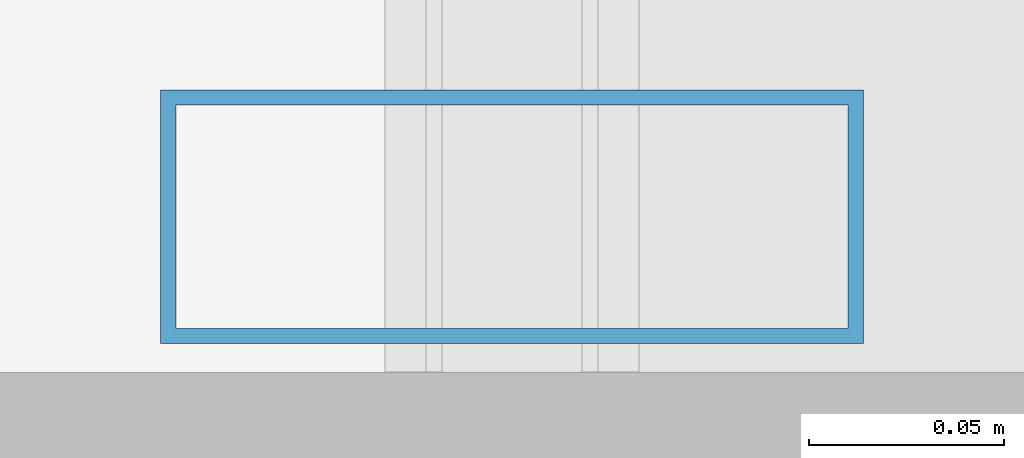
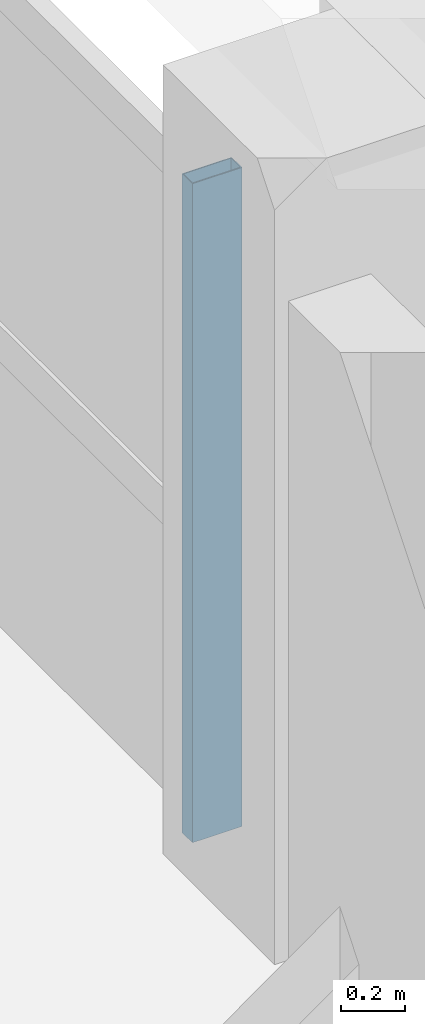
# One storey, part 7 of 21: 1 member, 1 element without a shape of its own.
"""IFC4 building model written with IfcOpenShell, lengths in metres."""

import ifcopenshell
import ifcopenshell.guid

model = None  # the IFC model being written
_history = None  # IfcOwnerHistory: only IFC2X3 demands one
_inside = {}  # id of a spatial element -> (the spatial element, [elements in it])
_under = {}  # id of a project, library or spatial element -> (it, [spatial elements below it])
_declared = {}  # id of a project -> (the project, [libraries it declares])
_typed = {}  # id of a type object -> (the type object, [elements of that type])
_made_of = {}  # id of a material, layer set ... -> (it, [elements and type objects made of it])


def new_model(schema):
    """Start an empty IFC model of exactly this schema.

    Asked for "IFC4X3", IfcOpenShell would pick the latest addendum, in which some entities
    have other attributes; the version numbers below select the first issue.
    IFC2X3 requires an IfcOwnerHistory on every rooted entity: one is made here for all.
    """
    global model, _history
    if schema == "IFC4X3":
        model = ifcopenshell.file(schema_version=(4, 3, 0, 0))
    else:
        model = ifcopenshell.file(schema=schema)
    _inside.clear()
    _under.clear()
    _declared.clear()
    _typed.clear()
    _made_of.clear()
    _history = None
    if model.schema == "IFC2X3":
        org = make("IfcOrganization", Name="unknown")
        user = make(
            "IfcPersonAndOrganization",
            ThePerson=make("IfcPerson", FamilyName="unknown"),
            TheOrganization=org,
        )
        app = make(
            "IfcApplication",
            ApplicationDeveloper=org,
            Version="unknown",
            ApplicationFullName="unknown",
            ApplicationIdentifier="unknown",
        )
        _history = make(
            "IfcOwnerHistory",
            OwningUser=user,
            OwningApplication=app,
            ChangeAction="ADDED",
            CreationDate=0,
        )
    return model


def make(cls, **values):
    """One entity of the class cls with the attributes given. An attribute that is None is left unset."""
    return model.create_entity(
        cls, **{name: value for name, value in values.items() if value is not None}
    )


def rooted(cls, **values):
    """An entity with a GlobalId (a new one), such as an element, a storey or a relation."""
    return make(cls, GlobalId=ifcopenshell.guid.new(), OwnerHistory=_history, **values)


def si_unit(unit_type, name, prefix=None):
    """IfcSIUnit, for example si_unit("LENGTHUNIT", "METRE", prefix="MILLI")."""
    return make("IfcSIUnit", UnitType=unit_type, Prefix=prefix, Name=name)


def assignment(units):
    """IfcUnitAssignment: the units of a project."""
    return None if units is None else make("IfcUnitAssignment", Units=units)


def point(xyz):
    """IfcCartesianPoint."""
    return None if xyz is None else make("IfcCartesianPoint", Coordinates=xyz)


def direction(xyz):
    """IfcDirection."""
    return None if xyz is None else make("IfcDirection", DirectionRatios=xyz)


def frame(location, z_axis=None, x_axis=None):
    """IfcAxis2Placement3D, a coordinate frame: its origin and axes. An axis left out is left unset."""
    return make(
        "IfcAxis2Placement3D",
        Location=point(location),
        Axis=direction(z_axis),
        RefDirection=direction(x_axis),
    )


def frame_2d(location, x_axis=None):
    """IfcAxis2Placement2D, a coordinate frame in the plane: its origin and x axis."""
    return make(
        "IfcAxis2Placement2D", Location=point(location), RefDirection=direction(x_axis)
    )


def origin():
    """The frame at (0, 0, 0) with its axes left unset."""
    return frame((0.0, 0.0, 0.0))


def origin_2d():
    """The frame at (0, 0) in the plane with its x axis left unset."""
    return frame_2d((0.0, 0.0))


def place(relative_to, where):
    """IfcLocalPlacement: puts the frame where relative to a parent placement (None: the world)."""
    return make(
        "IfcLocalPlacement", PlacementRelTo=relative_to, RelativePlacement=where
    )


def context(
    kind, dimensions, precision=None, world=None, true_north=None, identifier=None
):
    """IfcGeometricRepresentationContext, for example the 3D "Model" context."""
    return make(
        "IfcGeometricRepresentationContext",
        ContextIdentifier=identifier,
        ContextType=kind,
        CoordinateSpaceDimension=dimensions,
        Precision=precision,
        WorldCoordinateSystem=world,
        TrueNorth=true_north,
    )


def subcontext(parent, identifier, kind, view, scale=None):
    """IfcGeometricRepresentationSubContext, for example "Body" below "Model"."""
    return make(
        "IfcGeometricRepresentationSubContext",
        ContextIdentifier=identifier,
        ContextType=kind,
        ParentContext=parent,
        TargetScale=scale,
        TargetView=view,
    )


def project(units=None, contexts=None):
    """IfcProject with its units and contexts."""
    return rooted(
        "IfcProject",
        Name="project",
        RepresentationContexts=contexts,
        UnitsInContext=assignment(units),
    )


def spatial(cls, under=None, at=None, **own):
    """A site, building, storey or space (cls), placed at a placement, below another one or the project."""
    s = rooted(cls, ObjectPlacement=at, **own)
    if under is not None:
        _under.setdefault(under.id(), (under, []))[1].append(s)
    return s


def profile(cls, at=None, kind="AREA", **sizes):
    """A parametric profile (cls). Its sizes go by their IFC names, for example OverallWidth=200.0."""
    return make(cls, ProfileType=kind, Position=at, **sizes)


def hollow_rectangle(**sizes):
    """IfcRectangleHollowProfileDef."""
    return profile("IfcRectangleHollowProfileDef", **sizes)


def extrude(swept, where, along, depth):
    """IfcExtrudedAreaSolid: the profile swept, set in the frame where, extruded along a direction by depth."""
    return make(
        "IfcExtrudedAreaSolid",
        SweptArea=swept,
        Position=where,
        ExtrudedDirection=direction(along),
        Depth=depth,
    )


def shape(context_of_items, identifier, shape_type, items):
    """IfcShapeRepresentation: the items that make up one representation, for example the "Body"."""
    return make(
        "IfcShapeRepresentation",
        ContextOfItems=context_of_items,
        RepresentationIdentifier=identifier,
        RepresentationType=shape_type,
        Items=items,
    )


def material(Name=None, Category=None):
    """IfcMaterial."""
    return make("IfcMaterial", Name=Name, Category=Category)


def material_profile(
    of_material, cross_section, Name=None, Category=None, Priority=None
):
    """IfcMaterialProfile: a cross section and its material."""
    return make(
        "IfcMaterialProfile",
        Name=Name,
        Material=of_material,
        Profile=cross_section,
        Priority=Priority,
        Category=Category,
    )


def profile_set(profiles, Name=None, composite=None):
    """IfcMaterialProfileSet."""
    return make(
        "IfcMaterialProfileSet",
        Name=Name,
        MaterialProfiles=profiles,
        CompositeProfile=composite,
    )


def made_of(thing, what):
    """Note that an element or type object is made of a material, layer set ...; save() writes the relation."""
    if what is not None:
        _made_of.setdefault(what.id(), (what, []))[1].append(thing)
    return thing


def type_object(cls, material=None, **own):
    """A type object (cls), such as IfcWallType, which elements share."""
    return made_of(rooted(cls, **own), material)


def element(
    cls,
    number,
    at=None,
    inside=None,
    cuts=None,
    type_object=None,
    material=None,
    context=None,
    identifier="Body",
    shape_type=None,
    held_by="IfcProductDefinitionShape",
    body=None,
    shapes=None,
    **own,
):
    """One element of the class cls, such as IfcWall. Its Tag is "e" and its number.

    at: its placement. inside: the storey or other place that contains it. cuts: it is an
    opening in that element (IfcRelVoidsElement). A single representation is given by context,
    identifier, shape_type and body (its items); several are given by shapes. held_by: the class
    of the entity that holds the representations. save() writes the other relations.
    """
    e = rooted(cls, Tag="e%d" % number, ObjectPlacement=at, **own)
    if body is not None:
        shapes = [shape(context, identifier, shape_type, body)]
    if shapes is not None:
        e.Representation = make(held_by, Representations=shapes)
    if inside is not None:
        _inside.setdefault(inside.id(), (inside, []))[1].append(e)
    if cuts is not None:
        rooted(
            "IfcRelVoidsElement", RelatingBuildingElement=cuts, RelatedOpeningElement=e
        )
    if type_object is not None:
        _typed.setdefault(type_object.id(), (type_object, []))[1].append(e)
    return made_of(e, material)


def aggregate(whole, parts):
    """IfcRelAggregates: a whole, such as a stair, and the parts it consists of."""
    return rooted("IfcRelAggregates", RelatingObject=whole, RelatedObjects=parts)


def save(model, path):
    """Write the relations noted so far, then the file.

    IfcRelAggregates (storeys below a building ...), IfcRelContainedInSpatialStructure (elements
    in a storey), IfcRelDefinesByType, IfcRelAssociatesMaterial and IfcRelDeclares: one each for
    every whole, place, type object, material and project.
    """
    for whole, parts in _under.values():
        aggregate(whole, parts)
    for where, things in _inside.values():
        rooted(
            "IfcRelContainedInSpatialStructure",
            RelatedElements=things,
            RelatingStructure=where,
        )
    for kind, things in _typed.values():
        rooted("IfcRelDefinesByType", RelatedObjects=things, RelatingType=kind)
    for what, things in _made_of.values():
        rooted("IfcRelAssociatesMaterial", RelatedObjects=things, RelatingMaterial=what)
    for by, libraries in _declared.values():
        rooted("IfcRelDeclares", RelatingContext=by, RelatedDefinitions=libraries)
    model.write(path)


model = new_model("IFC4")

# Units and contexts
model_context = context("Model", 3, precision=1e-05, world=origin(), true_north=direction((0.0, 1.0)))
body_context = subcontext(model_context, "Body", "Model", "MODEL_VIEW")
ifc_project = project(units=[si_unit("LENGTHUNIT", "METRE"), si_unit("AREAUNIT", "SQUARE_METRE"), si_unit("VOLUMEUNIT", "CUBIC_METRE"), si_unit("PLANEANGLEUNIT", "RADIAN"), si_unit("MASSUNIT", "GRAM", prefix="KILO")], contexts=[model_context])

# Site, building, storey
site_placement = place(None, origin())
site = spatial("IfcSite", under=ifc_project, at=site_placement, CompositionType="ELEMENT")
building_placement = place(site_placement, origin())
building = spatial("IfcBuilding", under=site, at=building_placement, Name="Akrevak Sports Hall", CompositionType="ELEMENT")
storey_placement = place(building_placement, frame((0.0, 0.0, 53.550048828125)))
storey = spatial("IfcBuildingStorey", under=building, at=storey_placement, Name="L13", CompositionType="ELEMENT", Elevation=53.550048828125)

# Curtain wall, member
ifc_material_1 = material(Name="Anodized Bronze Aluminium & Low-E Glass", Category="aluminium")
curtain_wall_type = type_object("IfcCurtainWallType", Name="ARC-CW-TWR-68x30", PredefinedType="NOTDEFINED", material=ifc_material_1)
curtain_wall_placement = place(storey_placement, origin())
curtain_wall = element("IfcCurtainWall", 1, at=curtain_wall_placement, inside=storey, type_object=curtain_wall_type, Name="Curtain Wall CW-L13-E11", PredefinedType="NOTDEFINED")
ifc_material_2 = material(Name="Anodized Bronze Aluminium", Category="aluminium")
ifc_material_profile = material_profile(ifc_material_2, hollow_rectangle(XDim=0.06494140625, YDim=0.179931640625, WallThickness=0.00390625, at=origin_2d()), Name="CWM 65x180", Category="aluminium")
ifc_profile_set = profile_set([ifc_material_profile], Name="Anodized Bronze Aluminium")
member_type = type_object("IfcMemberType", Name="ARC-CWM-65x140", PredefinedType="MULLION", material=ifc_profile_set)
member_placement = place(storey_placement, frame((107.85009765625, 42.389892578125, 0.0), z_axis=(0.0, 0.0, 1.0), x_axis=(0.0, 1.0, 0.0)))
member = element("IfcMember", 2, at=member_placement, type_object=member_type, Name="Curtain Wall Mullion CW-L13-E11-M1", PredefinedType="MULLION", context=body_context, shape_type="SweptSolid", body=[
    extrude(hollow_rectangle(XDim=0.06494140625, YDim=0.179931640625, WallThickness=0.00390625, at=origin_2d()), origin(), (0.0, 0.0, 1.0), 2.530029296875),
])
aggregate(curtain_wall, [member])

save(model, "model.ifc")
